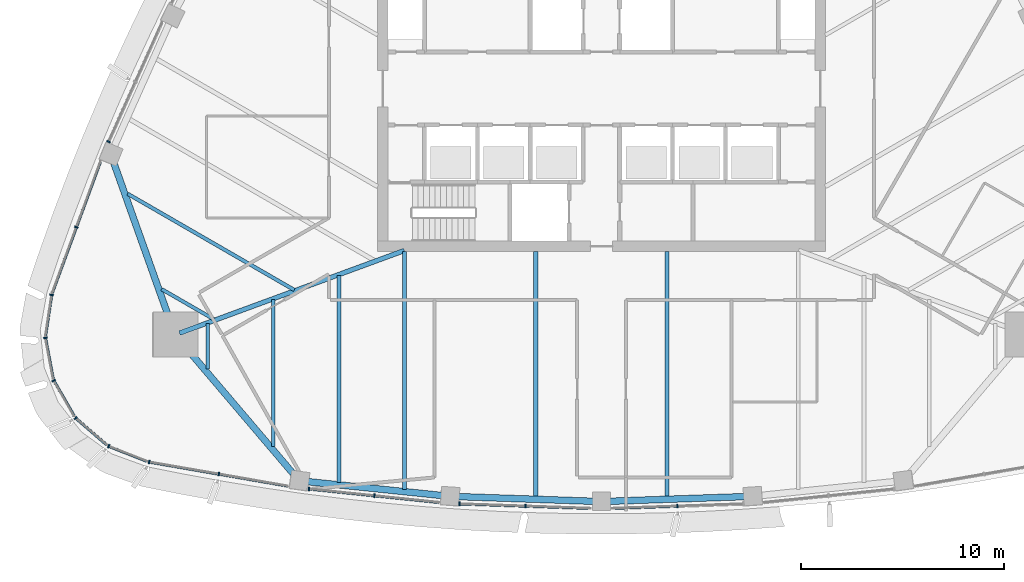
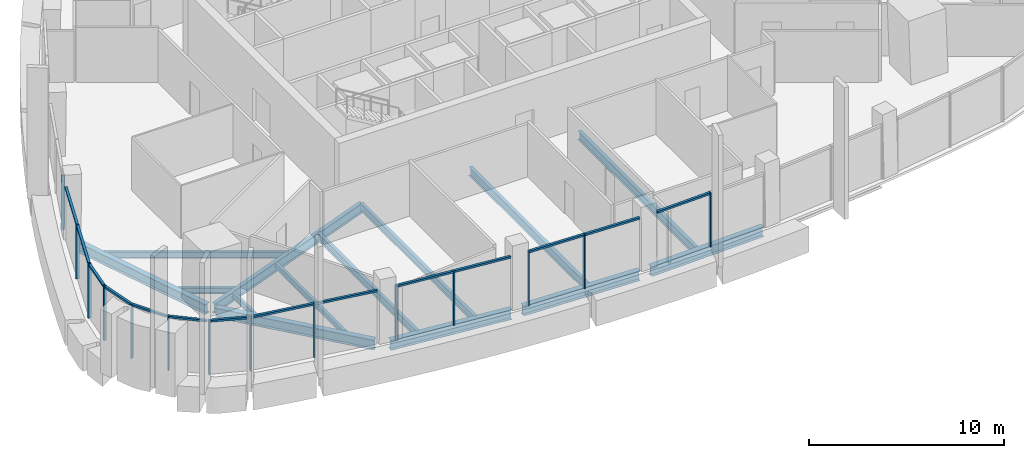
# One storey, part 2 of 18: 28 members, 14 beams, 11 elements without a shape of their own.
"""IFC4 building model written with IfcOpenShell, lengths in metres."""

from ifc_helpers import new_model, si_unit, direction, frame, origin, origin_2d, place, context, subcontext, project, spatial, rectangle, i_section, extrude, material, layer, layer_set, material_profile, profile_set, type_object, element, aggregate, save


model = new_model("IFC4")

# Units and contexts
model_context = context("Model", 3, precision=1e-05, world=origin(), true_north=direction((0.0, 1.0)))
body_context = subcontext(model_context, "Body", "Model", "MODEL_VIEW")
ifc_project = project(units=[si_unit("LENGTHUNIT", "METRE"), si_unit("AREAUNIT", "SQUARE_METRE"), si_unit("VOLUMEUNIT", "CUBIC_METRE"), si_unit("PLANEANGLEUNIT", "RADIAN"), si_unit("MASSUNIT", "GRAM", prefix="KILO")], contexts=[model_context])

# Site, building, storey
site_placement = place(None, origin())
site = spatial("IfcSite", under=ifc_project, at=site_placement, CompositionType="ELEMENT")
building_placement = place(site_placement, origin())
building = spatial("IfcBuilding", under=site, at=building_placement, Name="Sierra Prisma Convention Tower", CompositionType="ELEMENT")
storey_placement = place(building_placement, frame((0.0, 0.0, 279.0)))
storey = spatial("IfcBuildingStorey", under=building, at=storey_placement, Name="L63", CompositionType="ELEMENT", Elevation=279.0)

# Curtain wall, members
ifc_material_1 = material(Name="Aluminium and glass curtain wall", Category="aluminium")
ifc_layer = layer(ifc_material_1, 0.179931640625)
ifc_layer_set = layer_set([ifc_layer], Name="CW-1 Plain shaft curtain wall")
curtain_wall_type = type_object("IfcCurtainWallType", Name="CW-1 Plain shaft curtain wall", PredefinedType="NOTDEFINED", material=ifc_layer_set)
curtain_wall_1_placement = place(storey_placement, origin())
curtain_wall_1 = element("IfcCurtainWall", 1, at=curtain_wall_1_placement, inside=storey, type_object=curtain_wall_type, Name="CW-1 S1 L63", PredefinedType="NOTDEFINED")
ifc_material_2 = material(Name="Aluminium 6063-T6 bronze anodised", Category="aluminium")
ifc_material_profile_1 = material_profile(ifc_material_2, rectangle(XDim=0.179931640625, YDim=0.070068359375, at=origin_2d()), Name="ALU MULLION 70x180")
ifc_profile_set_1 = profile_set([ifc_material_profile_1], Name="Aluminium 6063-T6 bronze anodised")
member_type_1 = type_object("IfcMemberType", Name="CW mullion bronze", PredefinedType="MULLION", material=ifc_profile_set_1)
member_1_placement = place(storey_placement, frame((-22.226318359375, -18.34814453125, 0.0), z_axis=(0.0, 0.0, 1.0), x_axis=(0.170901588945, 0.985288103499, 0.0)))
member_1 = element("IfcMember", 2, at=member_1_placement, type_object=member_type_1, Name="CW-1 mullion S1.1", PredefinedType="MULLION", context=body_context, shape_type="SweptSolid", body=[
    extrude(rectangle(XDim=0.179931640625, YDim=0.070068359375, at=origin_2d()), origin(), (0.0, 0.0, 1.0), 3.39990234375),
])
member_2_placement = place(storey_placement, frame((-18.801513671875, -18.942138671875, 0.0), z_axis=(0.0, 0.0, 1.0), x_axis=(0.170901588945, 0.985288103499, 0.0)))
member_2 = element("IfcMember", 3, at=member_2_placement, type_object=member_type_1, Name="CW-1 mullion S1.2", PredefinedType="MULLION", context=body_context, shape_type="SweptSolid", body=[
    extrude(rectangle(XDim=0.179931640625, YDim=0.070068359375, at=origin_2d()), origin(), (0.0, 0.0, 1.0), 3.39990234375),
])

curtain_wall_2_placement = place(storey_placement, origin())
curtain_wall_2 = element("IfcCurtainWall", 4, at=curtain_wall_2_placement, inside=storey, type_object=curtain_wall_type, Name="CW-1 S2 L63", PredefinedType="NOTDEFINED")
member_3_placement = place(storey_placement, frame((-14.373046875, -19.673583984375, 0.0), z_axis=(0.0, 0.0, 1.0), x_axis=(0.102864515964, 0.994695376161, 0.0)))
member_3 = element("IfcMember", 5, at=member_3_placement, type_object=member_type_1, Name="CW-1 mullion S2.1", PredefinedType="MULLION", context=body_context, shape_type="SweptSolid", body=[
    extrude(rectangle(XDim=0.179931640625, YDim=0.070068359375, at=origin_2d()), origin(), (0.0, 0.0, 1.0), 3.39990234375),
])
member_4_placement = place(storey_placement, frame((-11.161376953125, -20.005615234375, 0.0), z_axis=(0.0, 0.0, 1.0), x_axis=(0.102864515964, 0.994695376161, 0.0)))
member_4 = element("IfcMember", 6, at=member_4_placement, type_object=member_type_1, Name="CW-1 mullion S2.2", PredefinedType="MULLION", context=body_context, shape_type="SweptSolid", body=[
    extrude(rectangle(XDim=0.179931640625, YDim=0.070068359375, at=origin_2d()), origin(), (0.0, 0.0, 1.0), 3.39990234375),
])

curtain_wall_3_placement = place(storey_placement, origin())
curtain_wall_3 = element("IfcCurtainWall", 7, at=curtain_wall_3_placement, inside=storey, type_object=curtain_wall_type, Name="CW-1 S3 L63", PredefinedType="NOTDEFINED")
member_5_placement = place(storey_placement, frame((-6.97021484375, -20.40478515625, 0.0), z_axis=(0.0, 0.0, 1.0), x_axis=(0.034342175524, 0.999410133519, 0.0)))
member_5 = element("IfcMember", 8, at=member_5_placement, type_object=member_type_1, Name="CW-1 mullion S3.1", PredefinedType="MULLION", context=body_context, shape_type="SweptSolid", body=[
    extrude(rectangle(XDim=0.179931640625, YDim=0.070068359375, at=origin_2d()), origin(), (0.0, 0.0, 1.0), 3.39990234375),
])
member_6_placement = place(storey_placement, frame((-3.7275390625, -20.51611328125, 0.0), z_axis=(0.0, 0.0, 1.0), x_axis=(0.034342175524, 0.999410133519, 0.0)))
member_6 = element("IfcMember", 9, at=member_6_placement, type_object=member_type_1, Name="CW-1 mullion S3.2", PredefinedType="MULLION", context=body_context, shape_type="SweptSolid", body=[
    extrude(rectangle(XDim=0.179931640625, YDim=0.070068359375, at=origin_2d()), origin(), (0.0, 0.0, 1.0), 3.39990234375),
])

# Curtain wall, member
curtain_wall_4_placement = place(storey_placement, origin())
curtain_wall_4 = element("IfcCurtainWall", 10, at=curtain_wall_4_placement, inside=storey, type_object=curtain_wall_type, Name="CW-1 S4 L63", PredefinedType="NOTDEFINED")
member_7_placement = place(storey_placement, frame((3.7275390625, -20.51611328125, 0.0), z_axis=(0.0, 0.0, 1.0), x_axis=(-0.034342175524, 0.999410133519, 0.0)))
member_7 = element("IfcMember", 11, at=member_7_placement, type_object=member_type_1, Name="CW-1 mullion S4.2", PredefinedType="MULLION", context=body_context, shape_type="SweptSolid", body=[
    extrude(rectangle(XDim=0.179931640625, YDim=0.070068359375, at=origin_2d()), origin(), (0.0, 0.0, 1.0), 3.39990234375),
])

curtain_wall_5_placement = place(storey_placement, origin())
curtain_wall_5 = element("IfcCurtainWall", 12, at=curtain_wall_5_placement, inside=storey, type_object=curtain_wall_type, Name="CW-1 NW5 L63", PredefinedType="NOTDEFINED")
member_8_placement = place(storey_placement, frame((-24.224365234375, -2.610595703125, 0.0), z_axis=(0.0, 0.0, 1.0), x_axis=(0.912863722764, -0.408264404108, 0.0)))
member_8 = element("IfcMember", 13, at=member_8_placement, type_object=member_type_1, Name="CW-1 mullion NW5.3", PredefinedType="MULLION", context=body_context, shape_type="SweptSolid", body=[
    extrude(rectangle(XDim=0.179931640625, YDim=0.070068359375, at=origin_2d()), origin(), (0.0, 0.0, 1.0), 3.39990234375),
])
aggregate(curtain_wall_5, [member_8])

curtain_wall_6_placement = place(storey_placement, origin())
curtain_wall_6 = element("IfcCurtainWall", 14, at=curtain_wall_6_placement, inside=storey, type_object=curtain_wall_type, Name="CW-1 NW6 L63", PredefinedType="NOTDEFINED")
member_9_placement = place(storey_placement, frame((-25.80517578125, -6.8115234375, 0.0), z_axis=(0.0, 0.0, 1.0), x_axis=(0.938735322149, -0.344638934176, 0.0)))
member_9 = element("IfcMember", 15, at=member_9_placement, type_object=member_type_1, Name="CW-1 mullion NW6.2", PredefinedType="MULLION", context=body_context, shape_type="SweptSolid", body=[
    extrude(rectangle(XDim=0.179931640625, YDim=0.070068359375, at=origin_2d()), origin(), (0.0, 0.0, 1.0), 3.39990234375),
])

curtain_wall_7_placement = place(storey_placement, origin())
curtain_wall_7 = element("IfcCurtainWall", 16, at=curtain_wall_7_placement, inside=storey, type_object=curtain_wall_type, Name="CW-1 SW1 L63", PredefinedType="NOTDEFINED")
member_10_placement = place(storey_placement, frame((-27.0205078125, -10.141845703125, 0.0), z_axis=(0.0, 0.0, 1.0), x_axis=(0.988877762161, -0.148730533189, 0.0)))
member_10 = element("IfcMember", 17, at=member_10_placement, type_object=member_type_1, Name="CW-1 mullion SW1.1", PredefinedType="MULLION", context=body_context, shape_type="SweptSolid", body=[
    extrude(rectangle(XDim=0.179931640625, YDim=0.070068359375, at=origin_2d()), origin(), (0.0, 0.0, 1.0), 3.39990234375),
])

curtain_wall_8_placement = place(storey_placement, origin())
curtain_wall_8 = element("IfcCurtainWall", 18, at=curtain_wall_8_placement, inside=storey, type_object=curtain_wall_type, Name="CW-1 SW2 L63", PredefinedType="NOTDEFINED")
member_11_placement = place(storey_placement, frame((-27.326416015625, -12.25390625, 0.0), z_axis=(0.0, 0.0, 1.0), x_axis=(0.982537157024, 0.186066480238, 0.0)))
member_11 = element("IfcMember", 19, at=member_11_placement, type_object=member_type_1, Name="CW-1 mullion SW2.1", PredefinedType="MULLION", context=body_context, shape_type="SweptSolid", body=[
    extrude(rectangle(XDim=0.179931640625, YDim=0.070068359375, at=origin_2d()), origin(), (0.0, 0.0, 1.0), 3.39990234375),
])

curtain_wall_9_placement = place(storey_placement, origin())
curtain_wall_9 = element("IfcCurtainWall", 20, at=curtain_wall_9_placement, inside=storey, type_object=curtain_wall_type, Name="CW-1 SW3 L63", PredefinedType="NOTDEFINED")
member_12_placement = place(storey_placement, frame((-26.91796875, -14.348388671875, 0.0), z_axis=(0.0, 0.0, 1.0), x_axis=(0.866025403784, 0.5, 0.0)))
member_12 = element("IfcMember", 21, at=member_12_placement, type_object=member_type_1, Name="CW-1 mullion SW3.1", PredefinedType="MULLION", context=body_context, shape_type="SweptSolid", body=[
    extrude(rectangle(XDim=0.179931640625, YDim=0.070068359375, at=origin_2d()), origin(), (0.0, 0.0, 1.0), 3.39990234375),
])

curtain_wall_10_placement = place(storey_placement, origin())
curtain_wall_10 = element("IfcCurtainWall", 22, at=curtain_wall_10_placement, inside=storey, type_object=curtain_wall_type, Name="CW-1 SW4 L63", PredefinedType="NOTDEFINED")
member_13_placement = place(storey_placement, frame((-25.841064453125, -16.190673828125, 0.0), z_axis=(0.0, 0.0, 1.0), x_axis=(0.65240687719, 0.757868898026, 0.0)))
member_13 = element("IfcMember", 23, at=member_13_placement, type_object=member_type_1, Name="CW-1 mullion SW4.1", PredefinedType="MULLION", context=body_context, shape_type="SweptSolid", body=[
    extrude(rectangle(XDim=0.179931640625, YDim=0.070068359375, at=origin_2d()), origin(), (0.0, 0.0, 1.0), 3.39990234375),
])

curtain_wall_11_placement = place(storey_placement, origin())
curtain_wall_11 = element("IfcCurtainWall", 24, at=curtain_wall_11_placement, inside=storey, type_object=curtain_wall_type, Name="CW-1 SW5 L63", PredefinedType="NOTDEFINED")
member_14_placement = place(storey_placement, frame((-24.21630859375, -17.573974609375, 0.0), z_axis=(0.0, 0.0, 1.0), x_axis=(0.36563446102, 0.930758529864, 0.0)))
member_14 = element("IfcMember", 25, at=member_14_placement, type_object=member_type_1, Name="CW-1 mullion SW5.1", PredefinedType="MULLION", context=body_context, shape_type="SweptSolid", body=[
    extrude(rectangle(XDim=0.179931640625, YDim=0.070068359375, at=origin_2d()), origin(), (0.0, 0.0, 1.0), 3.39990234375),
])

# Member
ifc_material_3 = material(Name="Aluminium 6063-T6 bronze anodised", Category="aluminium")
ifc_material_profile_2 = material_profile(ifc_material_3, rectangle(XDim=0.139892578125, YDim=0.1201171875, at=origin_2d()), Name="ALU TRANSOM 120x140")
ifc_profile_set_2 = profile_set([ifc_material_profile_2], Name="Aluminium 6063-T6 bronze anodised")
member_type_2 = type_object("IfcMemberType", Name="CW transom bronze", PredefinedType="USERDEFINED", material=ifc_profile_set_2)
member_15_placement = place(storey_placement, frame((-22.19189453125, -18.354248046875, 3.340087890625), z_axis=(0.985289518451, -0.17089343121, 0.0), x_axis=(0.17089343121, 0.985289518451, 0.0)))
member_15 = element("IfcMember", 26, at=member_15_placement, type_object=member_type_2, Name="CW-1 transom S1.1", ObjectType="TRANSOM", PredefinedType="USERDEFINED", context=body_context, shape_type="SweptSolid", body=[
    extrude(rectangle(XDim=0.139892578125, YDim=0.1201171875, at=origin_2d()), origin(), (0.0, 0.0, 1.0), 3.40576171875),
])

member_16_placement = place(storey_placement, frame((-18.76708984375, -18.9482421875, 3.340087890625), z_axis=(0.985289518451, -0.17089343121, 0.0), x_axis=(0.17089343121, 0.985289518451, 0.0)))
member_16 = element("IfcMember", 27, at=member_16_placement, type_object=member_type_2, Name="CW-1 transom S1.2", ObjectType="TRANSOM", PredefinedType="USERDEFINED", context=body_context, shape_type="SweptSolid", body=[
    extrude(rectangle(XDim=0.139892578125, YDim=0.1201171875, at=origin_2d()), origin(), (0.0, 0.0, 1.0), 3.40576171875),
])

aggregate(curtain_wall_1, [member_1, member_2, member_15, member_16])

member_17_placement = place(storey_placement, frame((-14.33837890625, -19.67724609375, 3.340087890625), z_axis=(0.994703516126, -0.102785772391, 0.0), x_axis=(0.102785772391, 0.994703516126, 0.0)))
member_17 = element("IfcMember", 28, at=member_17_placement, type_object=member_type_2, Name="CW-1 transom S2.1", ObjectType="TRANSOM", PredefinedType="USERDEFINED", context=body_context, shape_type="SweptSolid", body=[
    extrude(rectangle(XDim=0.139892578125, YDim=0.1201171875, at=origin_2d()), origin(), (0.0, 0.0, 1.0), 3.1591796875),
])

member_18_placement = place(storey_placement, frame((-11.12646484375, -20.00927734375, 3.340087890625), z_axis=(0.994694793991, -0.102870145361, 0.0), x_axis=(0.102870145361, 0.994694793991, 0.0)))
member_18 = element("IfcMember", 29, at=member_18_placement, type_object=member_type_2, Name="CW-1 transom S2.2", ObjectType="TRANSOM", PredefinedType="USERDEFINED", context=body_context, shape_type="SweptSolid", body=[
    extrude(rectangle(XDim=0.139892578125, YDim=0.1201171875, at=origin_2d()), origin(), (0.0, 0.0, 1.0), 3.158935546875),
])

aggregate(curtain_wall_2, [member_3, member_4, member_17, member_18])

member_19_placement = place(storey_placement, frame((-6.935302734375, -20.406005859375, 3.340087890625), z_axis=(0.999411648442, -0.034298060573, 0.0), x_axis=(0.034298060573, 0.999411648442, 0.0)))
member_19 = element("IfcMember", 30, at=member_19_placement, type_object=member_type_2, Name="CW-1 transom S3.1", ObjectType="TRANSOM", PredefinedType="USERDEFINED", context=body_context, shape_type="SweptSolid", body=[
    extrude(rectangle(XDim=0.139892578125, YDim=0.1201171875, at=origin_2d()), origin(), (0.0, 0.0, 1.0), 3.1748046875),
])

member_20_placement = place(storey_placement, frame((-3.692626953125, -20.517333984375, 3.340087890625), z_axis=(0.999409009477, -0.034374871286, 0.0), x_axis=(0.034374871286, 0.999409009477, 0.0)))
member_20 = element("IfcMember", 31, at=member_20_placement, type_object=member_type_2, Name="CW-1 transom S3.2", ObjectType="TRANSOM", PredefinedType="USERDEFINED", context=body_context, shape_type="SweptSolid", body=[
    extrude(rectangle(XDim=0.139892578125, YDim=0.1201171875, at=origin_2d()), origin(), (0.0, 0.0, 1.0), 3.1748046875),
])

aggregate(curtain_wall_3, [member_5, member_6, member_19, member_20])

member_21_placement = place(storey_placement, frame((0.519775390625, -20.62646484375, 3.340087890625), z_axis=(0.999409009477, 0.034374871286, 0.0), x_axis=(-0.034374871286, 0.999409009477, 0.0)))
member_21 = element("IfcMember", 32, at=member_21_placement, type_object=member_type_2, Name="CW-1 transom S4.1", ObjectType="TRANSOM", PredefinedType="USERDEFINED", context=body_context, shape_type="SweptSolid", body=[
    extrude(rectangle(XDim=0.139892578125, YDim=0.1201171875, at=origin_2d()), origin(), (0.0, 0.0, 1.0), 3.1748046875),
])

aggregate(curtain_wall_4, [member_7, member_21])

member_22_placement = place(storey_placement, frame((-24.619384765625, -3.58154296875, 3.340087890625), z_axis=(-0.344642160497, -0.93873413766, 0.0), x_axis=(0.93873413766, -0.344642160497, 0.0)))
member_22 = element("IfcMember", 33, at=member_22_placement, type_object=member_type_2, Name="CW-1 transom NW6.1", ObjectType="TRANSOM", PredefinedType="USERDEFINED", context=body_context, shape_type="SweptSolid", body=[
    extrude(rectangle(XDim=0.139892578125, YDim=0.1201171875, at=origin_2d()), origin(), (0.0, 0.0, 1.0), 3.406005859375),
])

member_23_placement = place(storey_placement, frame((-25.8173828125, -6.844482421875, 3.340087890625), z_axis=(-0.344665352711, -0.938725622661, 0.0), x_axis=(0.938725622661, -0.344665352711, 0.0)))
member_23 = element("IfcMember", 34, at=member_23_placement, type_object=member_type_2, Name="CW-1 transom NW6.2", ObjectType="TRANSOM", PredefinedType="USERDEFINED", context=body_context, shape_type="SweptSolid", body=[
    extrude(rectangle(XDim=0.139892578125, YDim=0.1201171875, at=origin_2d()), origin(), (0.0, 0.0, 1.0), 3.40576171875),
])

aggregate(curtain_wall_6, [member_9, member_22, member_23])

member_24_placement = place(storey_placement, frame((-27.025634765625, -10.176513671875, 3.340087890625), z_axis=(-0.148747193421, -0.988875256263, 0.0), x_axis=(0.988875256263, -0.148747193421, 0.0)))
member_24 = element("IfcMember", 35, at=member_24_placement, type_object=member_type_2, Name="CW-1 transom SW1.1", ObjectType="TRANSOM", PredefinedType="USERDEFINED", context=body_context, shape_type="SweptSolid", body=[
    extrude(rectangle(XDim=0.139892578125, YDim=0.1201171875, at=origin_2d()), origin(), (0.0, 0.0, 1.0), 1.995849609375),
])

aggregate(curtain_wall_7, [member_10, member_24])

member_25_placement = place(storey_placement, frame((-27.31982421875, -12.2880859375, 3.340087890625), z_axis=(0.186038476451, -0.982542459785, 0.0), x_axis=(0.982542459785, 0.186038476451, 0.0)))
member_25 = element("IfcMember", 36, at=member_25_placement, type_object=member_type_2, Name="CW-1 transom SW2.1", ObjectType="TRANSOM", PredefinedType="USERDEFINED", context=body_context, shape_type="SweptSolid", body=[
    extrude(rectangle(XDim=0.139892578125, YDim=0.1201171875, at=origin_2d()), origin(), (0.0, 0.0, 1.0), 1.99609375),
])

aggregate(curtain_wall_8, [member_11, member_25])

member_26_placement = place(storey_placement, frame((-26.900390625, -14.378662109375, 3.340087890625), z_axis=(0.499941291603, -0.86605929644, 0.0), x_axis=(0.86605929644, 0.499941291603, 0.0)))
member_26 = element("IfcMember", 37, at=member_26_placement, type_object=member_type_2, Name="CW-1 transom SW3.1", ObjectType="TRANSOM", PredefinedType="USERDEFINED", context=body_context, shape_type="SweptSolid", body=[
    extrude(rectangle(XDim=0.139892578125, YDim=0.1201171875, at=origin_2d()), origin(), (0.0, 0.0, 1.0), 1.995849609375),
])

aggregate(curtain_wall_9, [member_12, member_26])

member_27_placement = place(storey_placement, frame((-25.814453125, -16.21337890625, 3.340087890625), z_axis=(0.757856154803, -0.652421680071, 0.0), x_axis=(0.652421680071, 0.757856154803, 0.0)))
member_27 = element("IfcMember", 38, at=member_27_placement, type_object=member_type_2, Name="CW-1 transom SW4.1", ObjectType="TRANSOM", PredefinedType="USERDEFINED", context=body_context, shape_type="SweptSolid", body=[
    extrude(rectangle(XDim=0.139892578125, YDim=0.1201171875, at=origin_2d()), origin(), (0.0, 0.0, 1.0), 1.99609375),
])

aggregate(curtain_wall_10, [member_13, member_27])

member_28_placement = place(storey_placement, frame((-24.18359375, -17.5869140625, 3.340087890625), z_axis=(0.930761900725, -0.365625880046, 0.0), x_axis=(0.365625880046, 0.930761900725, 0.0)))
member_28 = element("IfcMember", 39, at=member_28_placement, type_object=member_type_2, Name="CW-1 transom SW5.1", ObjectType="TRANSOM", PredefinedType="USERDEFINED", context=body_context, shape_type="SweptSolid", body=[
    extrude(rectangle(XDim=0.139892578125, YDim=0.1201171875, at=origin_2d()), origin(), (0.0, 0.0, 1.0), 1.995849609375),
])

aggregate(curtain_wall_11, [member_14, member_28])

# Beams
ifc_material_4 = material(Name="Steel ASTM A992 Gr 50", Category="steel")
ifc_material_profile_3 = material_profile(ifc_material_4, i_section(OverallWidth=0.172119140625, OverallDepth=0.35791015625, WebThickness=0.0078125, FlangeThickness=0.01318359375, at=origin_2d()), Name="W360x57")
ifc_profile_set_3 = profile_set([ifc_material_profile_3], Name="Steel ASTM A992 Gr 50")
beam_type_1 = type_object("IfcBeamType", Name="Floor joist W360x57", PredefinedType="JOIST", material=ifc_profile_set_3)
beam_1_placement = place(storey_placement, frame((-19.343505859375, -13.792236328125, -0.3291015625), z_axis=(0.0, 1.0, 0.0), x_axis=(-1.0, 0.0, 0.0)))
element("IfcBeam", 40, at=beam_1_placement, inside=storey, type_object=beam_type_1, Name="Floor joist L63 S01", PredefinedType="JOIST", context=body_context, shape_type="SweptSolid", body=[
    extrude(i_section(OverallWidth=0.172119140625, OverallDepth=0.35791015625, WebThickness=0.0078125, FlangeThickness=0.01318359375, at=origin_2d()), origin(), (0.0, 0.0, 1.0), 2.23681640625),
])
beam_2_placement = place(storey_placement, frame((-16.11962890625, -17.5810546875, -0.3291015625), z_axis=(0.0, 1.0, 0.0), x_axis=(-1.0, 0.0, 0.0)))
element("IfcBeam", 41, at=beam_2_placement, inside=storey, type_object=beam_type_1, Name="Floor joist L63 S02", PredefinedType="JOIST", context=body_context, shape_type="SweptSolid", body=[
    extrude(i_section(OverallWidth=0.172119140625, OverallDepth=0.35791015625, WebThickness=0.0078125, FlangeThickness=0.01318359375, at=origin_2d()), origin(), (0.0, 0.0, 1.0), 7.210205078125),
])
beam_3_placement = place(storey_placement, frame((-21.6162109375, -9.855712890625, -0.3291015625), z_axis=(0.866029956157, -0.499992114976, 0.0), x_axis=(0.499992114976, 0.866029956157, 0.0)))
element("IfcBeam", 42, at=beam_3_placement, inside=storey, type_object=beam_type_1, Name="Floor joist L63 NW13", PredefinedType="JOIST", context=body_context, shape_type="SweptSolid", body=[
    extrude(i_section(OverallWidth=0.172119140625, OverallDepth=0.35791015625, WebThickness=0.0078125, FlangeThickness=0.01318359375, at=origin_2d()), origin(), (0.0, 0.0, 1.0), 2.97802734375),
])
ifc_material_5 = material(Name="Steel ASTM A992 Gr 50", Category="steel")
ifc_material_profile_4 = material_profile(ifc_material_5, i_section(OverallWidth=0.177978515625, OverallDepth=0.406982421875, WebThickness=0.0078125, FlangeThickness=0.0126953125, at=origin_2d()), Name="W410x60")
ifc_profile_set_4 = profile_set([ifc_material_profile_4], Name="Steel ASTM A992 Gr 50")
beam_type_2 = type_object("IfcBeamType", Name="Floor joist W410x60", PredefinedType="JOIST", material=ifc_profile_set_4)
beam_4_placement = place(storey_placement, frame((-23.285400390625, -5.16943359375, -0.353515625), z_axis=(0.866017890655, -0.500013012896, 0.0), x_axis=(0.500013012896, 0.866017890655, 0.0)))
element("IfcBeam", 43, at=beam_4_placement, inside=storey, type_object=beam_type_2, Name="Floor joist L63 NW12", PredefinedType="JOIST", context=body_context, shape_type="SweptSolid", body=[
    extrude(i_section(OverallWidth=0.177978515625, OverallDepth=0.406982421875, WebThickness=0.0078125, FlangeThickness=0.0126953125, at=origin_2d()), origin(), (0.0, 0.0, 1.0), 9.455322265625),
])
ifc_material_6 = material(Name="Steel ASTM A992 Gr 50", Category="steel")
ifc_material_profile_5 = material_profile(ifc_material_6, i_section(OverallWidth=0.18994140625, OverallDepth=0.45703125, WebThickness=0.009033203125, FlangeThickness=0.014404296875, at=origin_2d()), Name="W460x74")
ifc_profile_set_5 = profile_set([ifc_material_profile_5], Name="Steel ASTM A992 Gr 50")
beam_type_3 = type_object("IfcBeamType", Name="Floor joist W460x74", PredefinedType="JOIST", material=ifc_profile_set_5)
beam_5_placement = place(storey_placement, frame((-12.895751953125, -19.361328125, -0.37841796875), z_axis=(0.0, 1.0, 0.0), x_axis=(-1.0, 0.0, 0.0)))
element("IfcBeam", 44, at=beam_5_placement, inside=storey, type_object=beam_type_3, Name="Floor joist L63 S03", PredefinedType="JOIST", context=body_context, shape_type="SweptSolid", body=[
    extrude(i_section(OverallWidth=0.18994140625, OverallDepth=0.45703125, WebThickness=0.009033203125, FlangeThickness=0.014404296875, at=origin_2d()), origin(), (0.0, 0.0, 1.0), 10.175048828125),
])
beam_6_placement = place(storey_placement, frame((-9.671875, -19.694580078125, -0.37841796875), z_axis=(0.0, 1.0, 0.0), x_axis=(-1.0, 0.0, 0.0)))
element("IfcBeam", 45, at=beam_6_placement, inside=storey, type_object=beam_type_3, Name="Floor joist L63 S04", PredefinedType="JOIST", context=body_context, shape_type="SweptSolid", body=[
    extrude(i_section(OverallWidth=0.18994140625, OverallDepth=0.45703125, WebThickness=0.009033203125, FlangeThickness=0.014404296875, at=origin_2d()), origin(), (0.0, 0.0, 1.0), 11.694580078125),
])
ifc_material_7 = material(Name="Steel ASTM A992 Gr 50", Category="steel")
ifc_material_profile_6 = material_profile(ifc_material_7, i_section(OverallWidth=0.208984375, OverallDepth=0.532958984375, WebThickness=0.01025390625, FlangeThickness=0.015625, at=origin_2d()), Name="W530x92")
ifc_profile_set_6 = profile_set([ifc_material_profile_6], Name="Steel ASTM A992 Gr 50")
beam_type_4 = type_object("IfcBeamType", Name="Floor joist W530x92", PredefinedType="JOIST", material=ifc_profile_set_6)
for number, where, z_axis, x_axis, name in (
    (46, (-3.223876953125, -20.07080078125, -0.41650390625), (0.0, 1.0, 0.0), (-1.0, 0.0, 0.0), "Floor joist L63 S06"),
    (47, (3.223876953125, -20.07080078125, -0.41650390625), (0.0, 1.0, 0.0), (-1.0, 0.0, 0.0), "Floor joist L63 S08"),
):
    element("IfcBeam", number, at=place(storey_placement, frame(where, z_axis=z_axis, x_axis=x_axis)), inside=storey, type_object=beam_type_4, Name=name, PredefinedType="JOIST", context=body_context, shape_type="SweptSolid", body=[
        extrude(i_section(OverallWidth=0.208984375, OverallDepth=0.532958984375, WebThickness=0.01025390625, FlangeThickness=0.015625, at=origin_2d()), origin(), (0.0, 0.0, 1.0), 12.07080078125),
    ])
ifc_material_8 = material(Name="Steel ASTM A992 Gr 50", Category="steel")
ifc_material_profile_7 = material_profile(ifc_material_8, i_section(OverallWidth=0.22998046875, OverallDepth=0.616943359375, WebThickness=0.01318359375, FlangeThickness=0.022216796875, at=origin_2d()), Name="W610x140")
ifc_profile_set_7 = profile_set([ifc_material_profile_7], Name="Steel ASTM A992 Gr 50")
beam_type_5 = type_object("IfcBeamType", Name="Radial girder W610x140", PredefinedType="BEAM", material=ifc_profile_set_7)
beam_7_placement = place(storey_placement, frame((-20.7353515625, -12.017822265625, -0.45849609375), z_axis=(0.938646602259, 0.344880495343, 0.0), x_axis=(-0.344880495343, 0.938646602259, 0.0)))
element("IfcBeam", 48, at=beam_7_placement, inside=storey, type_object=beam_type_5, Name="Radial girder L63 SW", PredefinedType="BEAM", context=body_context, shape_type="SweptSolid", body=[
    extrude(i_section(OverallWidth=0.22998046875, OverallDepth=0.616943359375, WebThickness=0.01318359375, FlangeThickness=0.022216796875, at=origin_2d()), origin(), (0.0, 0.0, 1.0), 11.770263671875),
])
ifc_material_9 = material(Name="Steel ASTM A992 Gr 50", Category="steel")
ifc_material_profile_8 = material_profile(ifc_material_9, i_section(OverallWidth=0.324951171875, OverallDepth=0.615966796875, WebThickness=0.013916015625, FlangeThickness=0.021484375, at=origin_2d()), Name="W610x174")
ifc_profile_set_8 = profile_set([ifc_material_profile_8], Name="Steel ASTM A992 Gr 50")
beam_type_6 = type_object("IfcBeamType", Name="Spandrel beam W610x174", PredefinedType="BEAM", material=ifc_profile_set_8)
beam_8_placement = place(storey_placement, frame((-20.768310546875, -12.318603515625, -0.4580078125), z_axis=(0.648048256814, -0.761599275761, 0.0), x_axis=(0.761599275761, 0.648048256814, 0.0)))
element("IfcBeam", 49, at=beam_8_placement, inside=storey, type_object=beam_type_6, Name="Spandrel L63-01", PredefinedType="BEAM", context=body_context, shape_type="SweptSolid", body=[
    extrude(i_section(OverallWidth=0.324951171875, OverallDepth=0.615966796875, WebThickness=0.013916015625, FlangeThickness=0.021484375, at=origin_2d()), origin(), (0.0, 0.0, 1.0), 8.6474609375),
])
beam_9_placement = place(storey_placement, frame((-14.522705078125, -19.306396484375, -0.4580078125), z_axis=(0.994693824985, -0.102879514663, 0.0), x_axis=(0.102879514663, 0.994693824985, 0.0)))
element("IfcBeam", 50, at=beam_9_placement, inside=storey, type_object=beam_type_6, Name="Spandrel L63-02", PredefinedType="BEAM", context=body_context, shape_type="SweptSolid", body=[
    extrude(i_section(OverallWidth=0.324951171875, OverallDepth=0.615966796875, WebThickness=0.013916015625, FlangeThickness=0.021484375, at=origin_2d()), origin(), (0.0, 0.0, 1.0), 6.787109375),
])
for number, where, z_axis, x_axis, name in (
    (51, (-7.113037109375, -20.0498046875, -0.4580078125), (0.999409752949, -0.034353248896, 0.0), (0.034353248896, 0.999409752949, 0.0), "Spandrel L63-03"),
    (52, (0.330078125, -20.282958984375, -0.4580078125), (0.999409752949, 0.034353248896, 0.0), (-0.034353248896, 0.999409752949, 0.0), "Spandrel L63-04"),
):
    element("IfcBeam", number, at=place(storey_placement, frame(where, z_axis=z_axis, x_axis=x_axis)), inside=storey, type_object=beam_type_6, Name=name, PredefinedType="BEAM", context=body_context, shape_type="SweptSolid", body=[
        extrude(i_section(OverallWidth=0.324951171875, OverallDepth=0.615966796875, WebThickness=0.013916015625, FlangeThickness=0.021484375, at=origin_2d()), origin(), (0.0, 0.0, 1.0), 6.786865234375),
    ])
beam_10_placement = place(storey_placement, frame((-23.953857421875, -3.680419921875, -0.4580078125), z_axis=(0.33551878629, -0.942033515352, 0.0), x_axis=(0.942033515352, 0.33551878629, 0.0)))
element("IfcBeam", 53, at=beam_10_placement, inside=storey, type_object=beam_type_6, Name="Spandrel L63-18", PredefinedType="BEAM", context=body_context, shape_type="SweptSolid", body=[
    extrude(i_section(OverallWidth=0.324951171875, OverallDepth=0.615966796875, WebThickness=0.013916015625, FlangeThickness=0.021484375, at=origin_2d()), origin(), (0.0, 0.0, 1.0), 8.70263671875),
])

save(model, "model.ifc")
